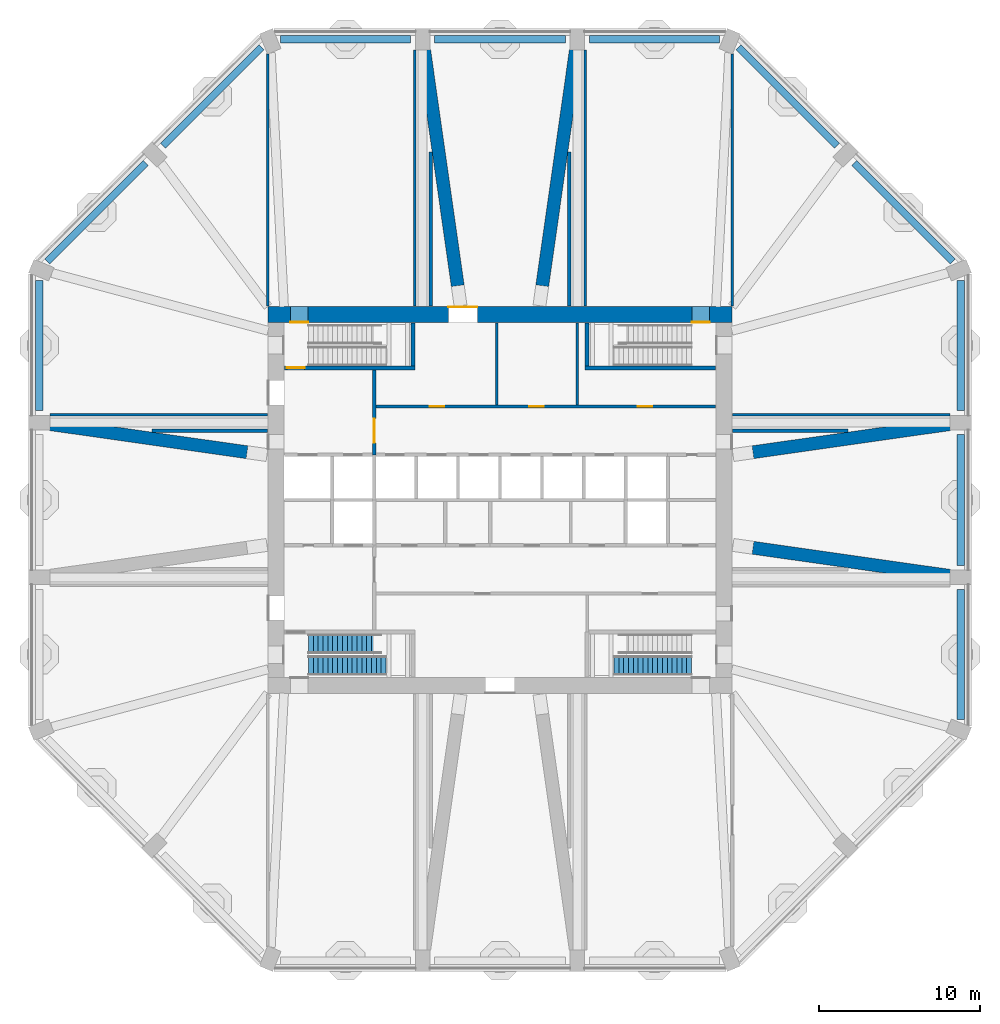
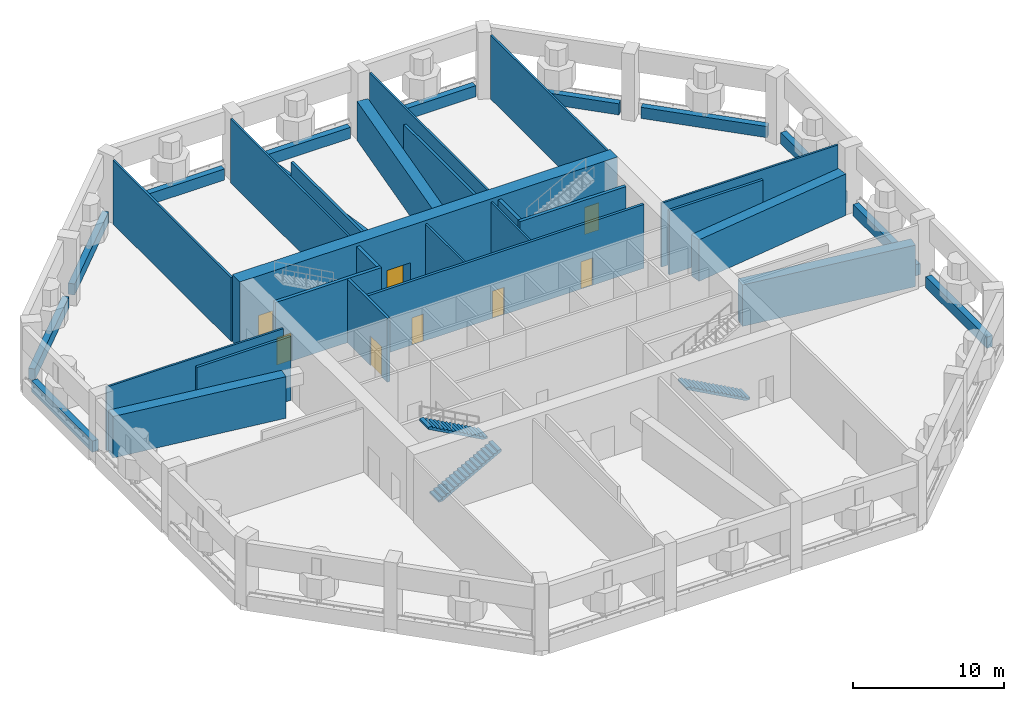
# One storey, part 5 of 9: 35 walls, 8 doors, 3 stair flights, 8 openings, 2 elements without a shape of their own.
"""IFC4 building model written with IfcOpenShell, lengths in metres."""

from ifc_helpers import new_model, si_unit, direction, frame, frame_2d, origin, place, context, subcontext, project, spatial, polyline, rectangle, outline, extrude, material, layer, layer_set, type_object, element, fill, aggregate, save


model = new_model("IFC4")

# Units and contexts
model_context = context("Model", 3, precision=1e-05, world=origin(), true_north=direction((0.0, 1.0)))
body_context = subcontext(model_context, "Body", "Model", "MODEL_VIEW")
ifc_project = project(units=[si_unit("LENGTHUNIT", "METRE"), si_unit("AREAUNIT", "SQUARE_METRE"), si_unit("VOLUMEUNIT", "CUBIC_METRE"), si_unit("PLANEANGLEUNIT", "RADIAN"), si_unit("MASSUNIT", "GRAM", prefix="KILO")], contexts=[model_context])

# Site, building, storey
site_placement = place(None, origin())
site = spatial("IfcSite", under=ifc_project, at=site_placement, CompositionType="ELEMENT")
building_placement = place(site_placement, origin())
building = spatial("IfcBuilding", under=site, at=building_placement, Name="Msitu Wima Residences", CompositionType="ELEMENT")
storey_placement = place(building_placement, frame((0.0, 0.0, 101.10009765625)))
storey = spatial("IfcBuildingStorey", under=building, at=storey_placement, Name="L23", CompositionType="ELEMENT", Elevation=101.10009765625)

# Walls
ifc_material_1 = material(Name="Facing brick")
ifc_layer_1 = layer(ifc_material_1, 0.06494140625, Name="Facing brick")
ifc_material_2 = material(Name="Concrete C40/50", Category="concrete")
ifc_layer_2 = layer(ifc_material_2, 0.156005859375, Name="Concrete C40/50")
ifc_material_3 = material(Name="Waterproofing membrane")
ifc_layer_3 = layer(ifc_material_3, 0.00390625, Name="Waterproofing membrane")
ifc_material_4 = material(Name="Planting soil and planting")
ifc_layer_4 = layer(ifc_material_4, 0.22509765625, Name="Planting soil and planting")
ifc_layer_set_1 = layer_set([ifc_layer_1, ifc_layer_2, ifc_layer_3, ifc_layer_4], Name="Concrete C40/50")
wall_type_1 = type_object("IfcWallType", Name="Balcony planter PLANTER PL450", PredefinedType="USERDEFINED", material=ifc_layer_set_1)
wall_1_placement = place(storey_placement, frame((28.574951171875, -13.613037109375, 0.0), z_axis=(0.0, 0.0, 1.0), x_axis=(0.0, 1.0, 0.0)))
element("IfcWall", 1, at=wall_1_placement, inside=storey, type_object=wall_type_1, Name="Refuge planter L23 E0", ObjectType="PLANTER", PredefinedType="USERDEFINED", context=body_context, shape_type="SweptSolid", body=[
    extrude(rectangle(XDim=8.06298828125, YDim=0.449951171875, at=frame_2d((4.031494140625, 0.0))), origin(), (0.0, 0.0, 1.0), 0.89990234375),
])
wall_2_placement = place(storey_placement, frame((28.574951171875, -4.050048828125, 0.0), z_axis=(0.0, 0.0, 1.0), x_axis=(0.0, 1.0, 0.0)))
element("IfcWall", 2, at=wall_2_placement, inside=storey, type_object=wall_type_1, Name="Refuge planter L23 E1", ObjectType="PLANTER", PredefinedType="USERDEFINED", context=body_context, shape_type="SweptSolid", body=[
    extrude(rectangle(XDim=8.10009765625, YDim=0.449951171875, at=frame_2d((4.050048828125, 0.0))), origin(), (0.0, 0.0, 1.0), 0.89990234375),
])
wall_3_placement = place(storey_placement, frame((28.574951171875, 5.550048828125, 0.0), z_axis=(0.0, 0.0, 1.0), x_axis=(0.0, 1.0, 0.0)))
element("IfcWall", 3, at=wall_3_placement, inside=storey, type_object=wall_type_1, Name="Refuge planter L23 E2", ObjectType="PLANTER", PredefinedType="USERDEFINED", context=body_context, shape_type="SweptSolid", body=[
    extrude(rectangle(XDim=8.06298828125, YDim=0.449951171875, at=frame_2d((4.031494140625, 0.0))), origin(), (0.0, 0.0, 1.0), 0.89990234375),
])
for number, where, z_axis, x_axis, name in (
    (4, (28.08447265625, 14.79736328125, 0.0), (0.0, 0.0, 1.0), (-0.707106781187, 0.707106781187, 0.0), "Refuge planter L23 NE0"),
    (5, (20.91064453125, 21.97119140625, 0.0), (0.0, 0.0, 1.0), (-0.707106781187, 0.707106781187, 0.0), "Refuge planter L23 NE1"),
):
    element("IfcWall", number, at=place(storey_placement, frame(where, z_axis=z_axis, x_axis=x_axis)), inside=storey, type_object=wall_type_1, Name=name, ObjectType="PLANTER", PredefinedType="USERDEFINED", context=body_context, shape_type="SweptSolid", body=[
        extrude(rectangle(XDim=8.6455078125, YDim=0.449951171875, at=frame_2d((4.32275390625, 0.0))), origin(), (0.0, 0.0, 1.0), 0.89990234375),
    ])
wall_4_placement = place(storey_placement, frame((13.613037109375, 28.574951171875, 0.0), z_axis=(0.0, 0.0, 1.0), x_axis=(-1.0, 0.0, 0.0)))
element("IfcWall", 6, at=wall_4_placement, inside=storey, type_object=wall_type_1, Name="Refuge planter L23 N0", ObjectType="PLANTER", PredefinedType="USERDEFINED", context=body_context, shape_type="SweptSolid", body=[
    extrude(rectangle(XDim=8.06298828125, YDim=0.449951171875, at=frame_2d((4.031494140625, 0.0))), origin(), (0.0, 0.0, 1.0), 0.89990234375),
])
wall_5_placement = place(storey_placement, frame((4.050048828125, 28.574951171875, 0.0), z_axis=(0.0, 0.0, 1.0), x_axis=(-1.0, 0.0, 0.0)))
element("IfcWall", 7, at=wall_5_placement, inside=storey, type_object=wall_type_1, Name="Refuge planter L23 N1", ObjectType="PLANTER", PredefinedType="USERDEFINED", context=body_context, shape_type="SweptSolid", body=[
    extrude(rectangle(XDim=8.10009765625, YDim=0.449951171875, at=frame_2d((4.050048828125, 0.0))), origin(), (0.0, 0.0, 1.0), 0.89990234375),
])
wall_6_placement = place(storey_placement, frame((-5.550048828125, 28.574951171875, 0.0), z_axis=(0.0, 0.0, 1.0), x_axis=(-1.0, 0.0, 0.0)))
element("IfcWall", 8, at=wall_6_placement, inside=storey, type_object=wall_type_1, Name="Refuge planter L23 N2", ObjectType="PLANTER", PredefinedType="USERDEFINED", context=body_context, shape_type="SweptSolid", body=[
    extrude(rectangle(XDim=8.06298828125, YDim=0.449951171875, at=frame_2d((4.031494140625, 0.0))), origin(), (0.0, 0.0, 1.0), 0.89990234375),
])
for number, where, z_axis, x_axis, name in (
    (9, (-14.79736328125, 28.08447265625, 0.0), (0.0, 0.0, 1.0), (-0.707106781187, -0.707106781187, 0.0), "Refuge planter L23 NW0"),
    (10, (-21.97119140625, 20.91064453125, 0.0), (0.0, 0.0, 1.0), (-0.707106781187, -0.707106781187, 0.0), "Refuge planter L23 NW1"),
):
    element("IfcWall", number, at=place(storey_placement, frame(where, z_axis=z_axis, x_axis=x_axis)), inside=storey, type_object=wall_type_1, Name=name, ObjectType="PLANTER", PredefinedType="USERDEFINED", context=body_context, shape_type="SweptSolid", body=[
        extrude(rectangle(XDim=8.6455078125, YDim=0.449951171875, at=frame_2d((4.32275390625, 0.0))), origin(), (0.0, 0.0, 1.0), 0.89990234375),
    ])
wall_7_placement = place(storey_placement, frame((-28.574951171875, 13.613037109375, 0.0), z_axis=(0.0, 0.0, 1.0), x_axis=(0.0, -1.0, 0.0)))
element("IfcWall", 11, at=wall_7_placement, inside=storey, type_object=wall_type_1, Name="Refuge planter L23 W0", ObjectType="PLANTER", PredefinedType="USERDEFINED", context=body_context, shape_type="SweptSolid", body=[
    extrude(rectangle(XDim=8.06298828125, YDim=0.449951171875, at=frame_2d((4.031494140625, 0.0))), origin(), (0.0, 0.0, 1.0), 0.89990234375),
])

# Wall, openings, doors
ifc_material_5 = material(Name="Concrete C80/95", Category="concrete")
ifc_layer_5 = layer(ifc_material_5, 1.0)
ifc_layer_set_2 = layer_set([ifc_layer_5], Name="Concrete C80/95")
wall_type_2 = type_object("IfcWallType", Name="Core wall CW1000 C80/95", PredefinedType="SHEAR", material=ifc_layer_set_2)
wall_8_placement = place(storey_placement, frame((-14.39990234375, 11.5, 0.0), z_axis=(0.0, 0.0, 1.0), x_axis=(1.0, 0.0, 0.0)))
wall_8 = element("IfcWall", 12, at=wall_8_placement, inside=storey, type_object=wall_type_2, Name="Core wall", PredefinedType="SHEAR", context=body_context, shape_type="SweptSolid", body=[
    extrude(rectangle(XDim=28.7998046875, YDim=1.0, at=frame_2d((14.39990234375, 0.0))), origin(), (0.0, 0.0, 1.0), 5.39990234375),
])
opening_1_placement = place(wall_8_placement, frame((1.39990234375, 0.0, 0.0)))
opening_1 = element("IfcOpeningElement", 13, at=opening_1_placement, cuts=wall_8, Name="Opening D23.017", PredefinedType="OPENING", context=body_context, shape_type="SweptSolid", body=[
    extrude(rectangle(XDim=1.10009765625, YDim=2.199951171875, at=frame_2d((0.550048828125, 1.10009765625))), frame((0.0, 0.510009765625, 0.0), z_axis=(0.0, -1.0, 0.0), x_axis=(1.0, 0.0, 0.0)), (0.0, 0.0, 1.0), 1.02001953125),
])
opening_2_placement = place(wall_8_placement, frame((26.300048828125, 0.0, 0.0)))
opening_2 = element("IfcOpeningElement", 14, at=opening_2_placement, cuts=wall_8, Name="Opening D23.019", PredefinedType="OPENING", context=body_context, shape_type="SweptSolid", body=[
    extrude(rectangle(XDim=1.10009765625, YDim=2.199951171875, at=frame_2d((0.550048828125, 1.10009765625))), frame((0.0, 0.510009765625, 0.0), z_axis=(0.0, -1.0, 0.0), x_axis=(1.0, 0.0, 0.0)), (0.0, 0.0, 1.0), 1.02001953125),
])
opening_3_placement = place(wall_8_placement, frame((11.199951171875, 0.0, 0.0)))
opening_3 = element("IfcOpeningElement", 15, at=opening_3_placement, cuts=wall_8, Name="Opening D23.021", PredefinedType="OPENING", context=body_context, shape_type="SweptSolid", body=[
    extrude(rectangle(XDim=1.800048828125, YDim=2.39990234375, at=frame_2d((0.89990234375, 1.199951171875))), frame((0.0, 0.510009765625, 0.0), z_axis=(0.0, -1.0, 0.0), x_axis=(1.0, 0.0, 0.0)), (0.0, 0.0, 1.0), 1.02001953125),
])
ifc_material_6 = material(Name="Steel door, fire resisting", Category="steel")
door_type_1 = type_object("IfcDoorType", Name="Plant room door D09 1800x2400", OperationType="DOUBLE_DOOR_SINGLE_SWING", PredefinedType="DOOR", material=ifc_material_6)
door_1_placement = place(opening_3_placement, origin())
door_1 = element("IfcDoor", 16, at=door_1_placement, inside=storey, type_object=door_type_1, Name="Plant room door", OperationType="DOUBLE_DOOR_SINGLE_SWING", OverallHeight=2.39990234375, OverallWidth=1.800048828125, PredefinedType="DOOR", context=body_context, shape_type="SweptSolid", body=[
    extrude(rectangle(XDim=1.800048828125, YDim=2.39990234375, at=frame_2d((0.89990234375, 1.199951171875))), frame((0.0, 0.4951171875, 0.0), z_axis=(0.0, -1.0, 0.0), x_axis=(1.0, 0.0, 0.0)), (0.0, 0.0, 1.0), 0.050048828125),
])
fill(opening_3, door_1)
ifc_material_7 = material(Name="Steel door, fire resisting, panic bar", Category="steel")
door_type_2 = type_object("IfcDoorType", Name="Stair door D06 1100x2200", OperationType="SINGLE_SWING_LEFT", PredefinedType="DOOR", material=ifc_material_7)
door_2_placement = place(opening_1_placement, origin())
door_2 = element("IfcDoor", 17, at=door_2_placement, inside=storey, type_object=door_type_2, Name="Stair door", OperationType="SINGLE_SWING_RIGHT", OverallHeight=2.199951171875, OverallWidth=1.10009765625, PredefinedType="DOOR", context=body_context, shape_type="SweptSolid", body=[
    extrude(rectangle(XDim=1.10009765625, YDim=2.199951171875, at=frame_2d((0.550048828125, 1.10009765625))), frame((0.0, -0.44482421875, 0.0), z_axis=(0.0, -1.0, 0.0), x_axis=(1.0, 0.0, 0.0)), (0.0, 0.0, 1.0), 0.050048828125),
])
fill(opening_1, door_2)
door_3_placement = place(opening_2_placement, origin())
door_3 = element("IfcDoor", 18, at=door_3_placement, inside=storey, type_object=door_type_2, Name="Stair door", OperationType="SINGLE_SWING_LEFT", OverallHeight=2.199951171875, OverallWidth=1.10009765625, PredefinedType="DOOR", context=body_context, shape_type="SweptSolid", body=[
    extrude(rectangle(XDim=1.10009765625, YDim=2.199951171875, at=frame_2d((0.550048828125, 1.10009765625))), frame((0.0, -0.44482421875, 0.0), z_axis=(0.0, -1.0, 0.0), x_axis=(1.0, 0.0, 0.0)), (0.0, 0.0, 1.0), 0.050048828125),
])
fill(opening_2, door_3)

# Wall, opening, door
ifc_material_8 = material(Name="Plaster")
ifc_layer_6 = layer(ifc_material_8, 0.011962890625, Name="Plaster")
ifc_material_9 = material(Name="Concrete blockwork", Category="masonry")
ifc_layer_7 = layer(ifc_material_9, 0.176025390625, Name="Concrete blockwork")
ifc_layer_8 = layer(ifc_material_8, 0.011962890625, Name="Plaster")
ifc_layer_set_3 = layer_set([ifc_layer_6, ifc_layer_7, ifc_layer_8], Name="Concrete blockwork")
wall_type_3 = type_object("IfcWallType", Name="Corridor wall FW200", PredefinedType="PARTITIONING", material=ifc_layer_set_3)
wall_9_placement = place(storey_placement, frame((-7.800048828125, 2.800048828125, 0.0), z_axis=(0.0, 0.0, 1.0), x_axis=(0.0, 1.0, 0.0)))
wall_9 = element("IfcWall", 19, at=wall_9_placement, inside=storey, type_object=wall_type_3, Name="Corridor wall", PredefinedType="PARTITIONING", context=body_context, shape_type="SweptSolid", body=[
    extrude(rectangle(XDim=5.27490234375, YDim=0.199951171875, at=frame_2d((2.637451171875, 0.0))), origin(), (0.0, 0.0, 1.0), 5.14990234375),
])
opening_4_placement = place(wall_9_placement, frame((0.75, 0.0, 0.0)))
opening_4 = element("IfcOpeningElement", 20, at=opening_4_placement, cuts=wall_9, Name="Opening D23.002", PredefinedType="OPENING", context=body_context, shape_type="SweptSolid", body=[
    extrude(rectangle(XDim=1.5, YDim=2.39990234375, at=frame_2d((0.75, 1.199951171875))), frame((0.0, 0.10986328125, 0.0), z_axis=(0.0, -1.0, 0.0), x_axis=(1.0, 0.0, 0.0)), (0.0, 0.0, 1.0), 0.219970703125),
])
ifc_material_10 = material(Name="Steel framed glazed door, fire resisting", Category="steel")
door_type_3 = type_object("IfcDoorType", Name="Lobby door D07 1500x2400", OperationType="DOUBLE_DOOR_SINGLE_SWING", PredefinedType="DOOR", material=ifc_material_10)
door_4_placement = place(opening_4_placement, origin())
door_4 = element("IfcDoor", 21, at=door_4_placement, inside=storey, type_object=door_type_3, Name="Lobby door", OperationType="DOUBLE_DOOR_SINGLE_SWING", OverallHeight=2.39990234375, OverallWidth=1.5, PredefinedType="DOOR", context=body_context, shape_type="SweptSolid", body=[
    extrude(rectangle(XDim=1.5, YDim=2.39990234375, at=frame_2d((0.75, 1.199951171875))), frame((0.0, 0.02490234375, 0.0), z_axis=(0.0, -1.0, 0.0), x_axis=(1.0, 0.0, 0.0)), (0.0, 0.0, 1.0), 0.050048828125),
])
fill(opening_4, door_4)

# Wall, openings, doors
wall_10_placement = place(storey_placement, frame((-7.699951171875, 5.800048828125, 0.0), z_axis=(0.0, 0.0, 1.0), x_axis=(1.0, 0.0, 0.0)))
wall_10 = element("IfcWall", 22, at=wall_10_placement, inside=storey, type_object=wall_type_3, Name="Corridor wall", PredefinedType="PARTITIONING", context=body_context, shape_type="SweptSolid", body=[
    extrude(rectangle(XDim=21.070068359375, YDim=0.199951171875, at=frame_2d((10.53515625, 0.0))), origin(), (0.0, 0.0, 1.0), 5.14990234375),
])
opening_5_placement = place(wall_10_placement, frame((3.35009765625, 0.0, 0.0)))
opening_5 = element("IfcOpeningElement", 23, at=opening_5_placement, cuts=wall_10, Name="Opening D23.004", PredefinedType="OPENING", context=body_context, shape_type="SweptSolid", body=[
    extrude(rectangle(XDim=0.89990234375, YDim=2.199951171875, at=frame_2d((0.449951171875, 1.10009765625))), frame((0.0, 0.10986328125, 0.0), z_axis=(0.0, -1.0, 0.0), x_axis=(1.0, 0.0, 0.0)), (0.0, 0.0, 1.0), 0.219970703125),
])
opening_6_placement = place(wall_10_placement, frame((9.5, 0.0, 0.0)))
opening_6 = element("IfcOpeningElement", 24, at=opening_6_placement, cuts=wall_10, Name="Opening D23.005", PredefinedType="OPENING", context=body_context, shape_type="SweptSolid", body=[
    extrude(rectangle(XDim=0.89990234375, YDim=2.199951171875, at=frame_2d((0.449951171875, 1.10009765625))), frame((0.0, 0.10986328125, 0.0), z_axis=(0.0, -1.0, 0.0), x_axis=(1.0, 0.0, 0.0)), (0.0, 0.0, 1.0), 0.219970703125),
])
opening_7_placement = place(wall_10_placement, frame((16.25, 0.0, 0.0)))
opening_7 = element("IfcOpeningElement", 25, at=opening_7_placement, cuts=wall_10, Name="Opening D23.006", PredefinedType="OPENING", context=body_context, shape_type="SweptSolid", body=[
    extrude(rectangle(XDim=0.89990234375, YDim=2.199951171875, at=frame_2d((0.449951171875, 1.10009765625))), frame((0.0, 0.10986328125, 0.0), z_axis=(0.0, -1.0, 0.0), x_axis=(1.0, 0.0, 0.0)), (0.0, 0.0, 1.0), 0.219970703125),
])
ifc_material_11 = material(Name="Timber flush door", Category="wood")
door_type_4 = type_object("IfcDoorType", Name="Service door D05 900x2200", OperationType="SINGLE_SWING_LEFT", PredefinedType="DOOR", material=ifc_material_11)
door_5_placement = place(opening_5_placement, origin())
door_5 = element("IfcDoor", 26, at=door_5_placement, inside=storey, type_object=door_type_4, Name="Service door", OperationType="SINGLE_SWING_LEFT", OverallHeight=2.199951171875, OverallWidth=0.89990234375, PredefinedType="DOOR", context=body_context, shape_type="SweptSolid", body=[
    extrude(rectangle(XDim=0.89990234375, YDim=2.199951171875, at=frame_2d((0.449951171875, 1.10009765625))), frame((0.0, 0.02490234375, 0.0), z_axis=(0.0, -1.0, 0.0), x_axis=(1.0, 0.0, 0.0)), (0.0, 0.0, 1.0), 0.050048828125),
])
fill(opening_5, door_5)
door_6_placement = place(opening_6_placement, origin())
door_6 = element("IfcDoor", 27, at=door_6_placement, inside=storey, type_object=door_type_4, Name="Service door", OperationType="SINGLE_SWING_LEFT", OverallHeight=2.199951171875, OverallWidth=0.89990234375, PredefinedType="DOOR", context=body_context, shape_type="SweptSolid", body=[
    extrude(rectangle(XDim=0.89990234375, YDim=2.199951171875, at=frame_2d((0.449951171875, 1.10009765625))), frame((0.0, 0.02490234375, 0.0), z_axis=(0.0, -1.0, 0.0), x_axis=(1.0, 0.0, 0.0)), (0.0, 0.0, 1.0), 0.050048828125),
])
fill(opening_6, door_6)
door_7_placement = place(opening_7_placement, origin())
door_7 = element("IfcDoor", 28, at=door_7_placement, inside=storey, type_object=door_type_4, Name="Service door", OperationType="SINGLE_SWING_RIGHT", OverallHeight=2.199951171875, OverallWidth=0.89990234375, PredefinedType="DOOR", context=body_context, shape_type="SweptSolid", body=[
    extrude(rectangle(XDim=0.89990234375, YDim=2.199951171875, at=frame_2d((0.449951171875, 1.10009765625))), frame((0.0, 0.02490234375, 0.0), z_axis=(0.0, -1.0, 0.0), x_axis=(1.0, 0.0, 0.0)), (0.0, 0.0, 1.0), 0.050048828125),
])
fill(opening_7, door_7)

# Walls
ifc_layer_9 = layer(ifc_material_5, 0.800048828125)
ifc_layer_set_4 = layer_set([ifc_layer_9], Name="Concrete C80/95")
wall_type_4 = type_object("IfcWallType", Name="Outrigger wall 800 Concrete C80/95", PredefinedType="SHEAR", material=ifc_layer_set_4)
for number, where, z_axis, x_axis, name in (
    (29, (15.68701171875, -2.963134765625, 0.0), (0.0, 0.0, 1.0), (0.989994565366, -0.141105494384, 0.0), "Outrigger wall L23 C-E1"),
    (30, (15.68701171875, 2.963134765625, 0.0), (0.0, 0.0, 1.0), (0.989994565366, 0.141105494384, 0.0), "Outrigger wall L23 C-E2"),
):
    element("IfcWall", number, at=place(storey_placement, frame(where, z_axis=z_axis, x_axis=x_axis)), inside=storey, type_object=wall_type_4, Name=name, PredefinedType="SHEAR", context=body_context, shape_type="SweptSolid", body=[
        extrude(rectangle(XDim=12.33642578125, YDim=0.800048828125, at=frame_2d((6.168212890625, 0.0))), origin(), (0.0, 0.0, 1.0), 3.349853515625),
    ])
for number, where, z_axis, x_axis, name in (
    (31, (2.62109375, 13.287109375, 0.0), (0.0, 0.0, 1.0), (0.141104108698, 0.989994762869, 0.0), "Outrigger wall L23 C-N1"),
    (32, (-2.62109375, 13.287109375, 0.0), (0.0, 0.0, 1.0), (-0.141104108698, 0.989994762869, 0.0), "Outrigger wall L23 C-N2"),
):
    element("IfcWall", number, at=place(storey_placement, frame(where, z_axis=z_axis, x_axis=x_axis)), inside=storey, type_object=wall_type_4, Name=name, PredefinedType="SHEAR", context=body_context, shape_type="SweptSolid", body=[
        extrude(rectangle(XDim=14.760498046875, YDim=0.800048828125, at=frame_2d((7.38037109375, 0.0))), origin(), (0.0, 0.0, 1.0), 3.14990234375),
    ])
wall_11_placement = place(storey_placement, frame((-15.68701171875, 2.963134765625, 0.0), z_axis=(0.0, 0.0, 1.0), x_axis=(-0.989994565366, 0.141105494384, 0.0)))
element("IfcWall", 33, at=wall_11_placement, inside=storey, type_object=wall_type_4, Name="Outrigger wall L23 C-W1", PredefinedType="SHEAR", context=body_context, shape_type="SweptSolid", body=[
    extrude(rectangle(XDim=12.33642578125, YDim=0.800048828125, at=frame_2d((6.168212890625, 0.0))), origin(), (0.0, 0.0, 1.0), 3.349853515625),
])
ifc_layer_10 = layer(ifc_material_8, 0.011962890625, Name="Plaster")
ifc_layer_11 = layer(ifc_material_9, 0.1259765625, Name="Concrete blockwork")
ifc_layer_12 = layer(ifc_material_8, 0.011962890625, Name="Plaster")
ifc_layer_set_5 = layer_set([ifc_layer_10, ifc_layer_11, ifc_layer_12], Name="Concrete blockwork")
wall_type_5 = type_object("IfcWallType", Name="Partition PW150", PredefinedType="PARTITIONING", material=ifc_layer_set_5)
wall_12_placement = place(storey_placement, frame((-27.89990234375, 5.300048828125, 0.0), z_axis=(0.0, 0.0, 1.0), x_axis=(1.0, 0.0, 0.0)))
element("IfcWall", 34, at=wall_12_placement, inside=storey, type_object=wall_type_5, Name="Partition", PredefinedType="PARTITIONING", context=body_context, shape_type="SweptSolid", body=[
    extrude(rectangle(XDim=13.469970703125, YDim=0.14990234375, at=frame_2d((6.73486328125, 0.0))), origin(), (0.0, 0.0, 1.0), 5.14990234375),
])
wall_13_placement = place(storey_placement, frame((-14.39990234375, 12.030029296875, 0.0), z_axis=(0.0, 0.0, 1.0), x_axis=(0.0, 1.0, 0.0)))
element("IfcWall", 35, at=wall_13_placement, inside=storey, type_object=wall_type_5, Name="Partition", PredefinedType="PARTITIONING", context=body_context, shape_type="SweptSolid", body=[
    extrude(rectangle(XDim=15.63427734375, YDim=0.14990234375, at=frame_2d((7.817138671875, 0.0))), origin(), (0.0, 0.0, 1.0), 5.14990234375),
])
wall_14_placement = place(storey_placement, frame((-5.300048828125, 12.030029296875, 0.0), z_axis=(0.0, 0.0, 1.0), x_axis=(0.0, 1.0, 0.0)))
element("IfcWall", 36, at=wall_14_placement, inside=storey, type_object=wall_type_5, Name="Partition", PredefinedType="PARTITIONING", context=body_context, shape_type="SweptSolid", body=[
    extrude(rectangle(XDim=15.869873046875, YDim=0.14990234375, at=frame_2d((7.93505859375, 0.0))), origin(), (0.0, 0.0, 1.0), 5.14990234375),
])
for number, where, z_axis, x_axis, name in (
    (37, (-0.199951171875, 5.89990234375, 0.0), (0.0, 0.0, 1.0), (0.0, 1.0, 0.0), "Partition"),
    (38, (4.800048828125, 5.89990234375, 0.0), (0.0, 0.0, 1.0), (0.0, 1.0, 0.0), "Partition"),
):
    element("IfcWall", number, at=place(storey_placement, frame(where, z_axis=z_axis, x_axis=x_axis)), inside=storey, type_object=wall_type_5, Name=name, PredefinedType="PARTITIONING", context=body_context, shape_type="SweptSolid", body=[
        extrude(rectangle(XDim=5.070068359375, YDim=0.14990234375, at=frame_2d((2.53515625, 0.0))), origin(), (0.0, 0.0, 1.0), 5.14990234375),
    ])
wall_15_placement = place(storey_placement, frame((5.300048828125, 12.030029296875, 0.0), z_axis=(0.0, 0.0, 1.0), x_axis=(0.0, 1.0, 0.0)))
element("IfcWall", 39, at=wall_15_placement, inside=storey, type_object=wall_type_5, Name="Partition", PredefinedType="PARTITIONING", context=body_context, shape_type="SweptSolid", body=[
    extrude(rectangle(XDim=15.869873046875, YDim=0.14990234375, at=frame_2d((7.93505859375, 0.0))), origin(), (0.0, 0.0, 1.0), 5.14990234375),
])
wall_16_placement = place(storey_placement, frame((14.39990234375, 12.030029296875, 0.0), z_axis=(0.0, 0.0, 1.0), x_axis=(0.0, 1.0, 0.0)))
element("IfcWall", 40, at=wall_16_placement, inside=storey, type_object=wall_type_5, Name="Partition", PredefinedType="PARTITIONING", context=body_context, shape_type="SweptSolid", body=[
    extrude(rectangle(XDim=15.63427734375, YDim=0.14990234375, at=frame_2d((7.817138671875, 0.0))), origin(), (0.0, 0.0, 1.0), 5.14990234375),
])
wall_17_placement = place(storey_placement, frame((14.429931640625, 5.300048828125, 0.0), z_axis=(0.0, 0.0, 1.0), x_axis=(1.0, 0.0, 0.0)))
element("IfcWall", 41, at=wall_17_placement, inside=storey, type_object=wall_type_5, Name="Partition", PredefinedType="PARTITIONING", context=body_context, shape_type="SweptSolid", body=[
    extrude(rectangle(XDim=13.469970703125, YDim=0.14990234375, at=frame_2d((6.73486328125, 0.0))), origin(), (0.0, 0.0, 1.0), 5.14990234375),
])
ifc_layer_13 = layer(ifc_material_8, 0.011962890625, Name="Plaster")
ifc_material_12 = material(Name="Reinforced concrete blockwork", Category="masonry")
ifc_layer_14 = layer(ifc_material_12, 0.176025390625, Name="Reinforced concrete blockwork")
ifc_layer_15 = layer(ifc_material_8, 0.011962890625, Name="Plaster")
ifc_layer_set_6 = layer_set([ifc_layer_13, ifc_layer_14, ifc_layer_15], Name="Reinforced concrete blockwork")
wall_type_6 = type_object("IfcWallType", Name="Plant and riser wall PL200", PredefinedType="PARTITIONING", material=ifc_layer_set_6)
wall_18_placement = place(storey_placement, frame((-21.58203125, 4.300048828125, 0.0), z_axis=(0.0, 0.0, 1.0), x_axis=(1.0, 0.0, 0.0)))
element("IfcWall", 42, at=wall_18_placement, inside=storey, type_object=wall_type_6, Name="Plant and riser wall", PredefinedType="PARTITIONING", context=body_context, shape_type="SweptSolid", body=[
    extrude(rectangle(XDim=7.152099609375, YDim=0.199951171875, at=frame_2d((3.576171875, 0.0))), origin(), (0.0, 0.0, 1.0), 5.14990234375),
])
for number, where, z_axis, x_axis, name in (
    (43, (-4.300048828125, 12.030029296875, 0.0), (0.0, 0.0, 1.0), (0.0, 1.0, 0.0), "Plant and riser wall"),
    (44, (4.300048828125, 12.030029296875, 0.0), (0.0, 0.0, 1.0), (0.0, 1.0, 0.0), "Plant and riser wall"),
):
    element("IfcWall", number, at=place(storey_placement, frame(where, z_axis=z_axis, x_axis=x_axis)), inside=storey, type_object=wall_type_6, Name=name, PredefinedType="PARTITIONING", context=body_context, shape_type="SweptSolid", body=[
        extrude(rectangle(XDim=9.552001953125, YDim=0.199951171875, at=frame_2d((4.77587890625, 0.0))), origin(), (0.0, 0.0, 1.0), 5.14990234375),
    ])
wall_19_placement = place(storey_placement, frame((14.429931640625, 4.300048828125, 0.0), z_axis=(0.0, 0.0, 1.0), x_axis=(1.0, 0.0, 0.0)))
element("IfcWall", 45, at=wall_19_placement, inside=storey, type_object=wall_type_6, Name="Plant and riser wall", PredefinedType="PARTITIONING", context=body_context, shape_type="SweptSolid", body=[
    extrude(rectangle(XDim=7.152099609375, YDim=0.199951171875, at=frame_2d((3.576171875, 0.0))), origin(), (0.0, 0.0, 1.0), 5.14990234375),
])

# Wall, opening, door
ifc_material_13 = material(Name="Concrete C50/60", Category="concrete")
ifc_layer_16 = layer(ifc_material_13, 0.25)
ifc_layer_set_7 = layer_set([ifc_layer_16], Name="Concrete C50/60")
wall_type_7 = type_object("IfcWallType", Name="Stair enclosure wall SW250", PredefinedType="SHEAR", material=ifc_layer_set_7)
wall_20_placement = place(storey_placement, frame((-13.3701171875, 8.199951171875, 0.0), z_axis=(0.0, 0.0, 1.0), x_axis=(1.0, 0.0, 0.0)))
wall_20 = element("IfcWall", 46, at=wall_20_placement, inside=storey, type_object=wall_type_7, Name="Stair enclosure wall", PredefinedType="SHEAR", context=body_context, shape_type="SweptSolid", body=[
    extrude(rectangle(XDim=8.09521484375, YDim=0.25, at=frame_2d((4.047607421875, 0.0))), origin(), (0.0, 0.0, 1.0), 5.14990234375),
])
opening_8_placement = place(wall_20_placement, frame((0.14990234375, 0.0, 0.0)))
opening_8 = element("IfcOpeningElement", 47, at=opening_8_placement, cuts=wall_20, Name="Opening D23.015", PredefinedType="OPENING", context=body_context, shape_type="SweptSolid", body=[
    extrude(rectangle(XDim=1.10009765625, YDim=2.199951171875, at=frame_2d((0.550048828125, 1.10009765625))), frame((0.0, 0.135009765625, 0.0), z_axis=(0.0, -1.0, 0.0), x_axis=(1.0, 0.0, 0.0)), (0.0, 0.0, 1.0), 0.27001953125),
])
door_8_placement = place(opening_8_placement, origin())
door_8 = element("IfcDoor", 48, at=door_8_placement, inside=storey, type_object=door_type_2, Name="Stair door", OperationType="SINGLE_SWING_LEFT", OverallHeight=2.199951171875, OverallWidth=1.10009765625, PredefinedType="DOOR", context=body_context, shape_type="SweptSolid", body=[
    extrude(rectangle(XDim=1.10009765625, YDim=2.199951171875, at=frame_2d((0.550048828125, 1.10009765625))), frame((0.0, 0.02490234375, 0.0), z_axis=(0.0, -1.0, 0.0), x_axis=(1.0, 0.0, 0.0)), (0.0, 0.0, 1.0), 0.050048828125),
])
fill(opening_8, door_8)

# Walls
for number, where, z_axis, x_axis, name in (
    (49, (-5.39990234375, 8.324951171875, 0.0), (0.0, 0.0, 1.0), (0.0, 1.0, 0.0), "Stair enclosure wall"),
    (50, (5.39990234375, 8.324951171875, 0.0), (0.0, 0.0, 1.0), (0.0, 1.0, 0.0), "Stair enclosure wall"),
):
    element("IfcWall", number, at=place(storey_placement, frame(where, z_axis=z_axis, x_axis=x_axis)), inside=storey, type_object=wall_type_7, Name=name, PredefinedType="SHEAR", context=body_context, shape_type="SweptSolid", body=[
        extrude(rectangle(XDim=2.64501953125, YDim=0.25, at=frame_2d((1.322509765625, 0.0))), origin(), (0.0, 0.0, 1.0), 5.14990234375),
    ])
wall_21_placement = place(storey_placement, frame((5.27490234375, 8.199951171875, 0.0), z_axis=(0.0, 0.0, 1.0), x_axis=(1.0, 0.0, 0.0)))
element("IfcWall", 51, at=wall_21_placement, inside=storey, type_object=wall_type_7, Name="Stair enclosure wall", PredefinedType="SHEAR", context=body_context, shape_type="SweptSolid", body=[
    extrude(rectangle(XDim=8.09521484375, YDim=0.25, at=frame_2d((4.047607421875, 0.0))), origin(), (0.0, 0.0, 1.0), 5.14990234375),
])

# Stair, stair flights
stair_type = type_object("IfcStairType", Name="Exit stair ES1636-120", PredefinedType="HALF_TURN_STAIR", material=ifc_material_2)
stair_1_placement = place(storey_placement, origin())
stair_1 = element("IfcStair", 52, at=stair_1_placement, inside=storey, type_object=stair_type, Name="Exit stair 2", PredefinedType="HALF_TURN_STAIR")
stair_flight_type = type_object("IfcStairFlightType", Name="Exit stair flight ES1636-120", PredefinedType="STRAIGHT", material=ifc_material_2)
stair_flight_1_placement = place(storey_placement, frame((-11.875, -10.27490234375, 0.0), z_axis=(0.0, 0.0, 1.0), x_axis=(1.0, 0.0, 0.0)))
stair_flight_1 = element("IfcStairFlight", 53, at=stair_flight_1_placement, type_object=stair_flight_type, Name="S2 flight 1", NumberOfRisers=17, NumberOfTreads=16, PredefinedType="STRAIGHT", RiserHeight=0.163636364, TreadLength=0.3, context=body_context, shape_type="SweptSolid", body=[
    extrude(outline(polyline([(0.0, 0.0), (0.0, 0.16357421875), (0.300048828125, 0.16357421875), (0.300048828125, 0.327392578125), (0.60009765625, 0.327392578125), (0.60009765625, 0.490966796875), (0.89990234375, 0.490966796875), (0.89990234375, 0.654541015625), (1.199951171875, 0.654541015625), (1.199951171875, 0.818115234375), (1.5, 0.818115234375), (1.5, 0.98193359375), (1.800048828125, 0.98193359375), (1.800048828125, 1.1455078125), (2.10009765625, 1.1455078125), (2.10009765625, 1.30908203125), (2.39990234375, 1.30908203125), (2.39990234375, 1.47265625), (2.699951171875, 1.47265625), (2.699951171875, 1.636474609375), (3.0, 1.636474609375), (3.0, 1.800048828125), (3.300048828125, 1.800048828125), (3.300048828125, 1.963623046875), (3.60009765625, 1.963623046875), (3.60009765625, 2.127197265625), (3.89990234375, 2.127197265625), (3.89990234375, 2.291015625), (4.199951171875, 2.291015625), (4.199951171875, 2.45458984375), (4.5, 2.45458984375), (4.5, 2.6181640625), (4.800048828125, 2.6181640625), (4.800048828125, 2.78173828125), (4.800048828125, 2.447509765625), (0.31298828125, 0.0), (0.0, 0.0)])), frame((0.0, 0.60009765625, 0.0), z_axis=(0.0, -1.0, 0.0), x_axis=(1.0, 0.0, 0.0)), (0.0, 0.0, 1.0), 1.199951171875),
])
stair_flight_2_placement = place(storey_placement, frame((-7.375, -8.925048828125, 2.78173828125), z_axis=(0.0, 0.0, 1.0), x_axis=(-1.0, 0.0, 0.0)))
stair_flight_2 = element("IfcStairFlight", 54, at=stair_flight_2_placement, type_object=stair_flight_type, Name="S2 flight 2", NumberOfRisers=16, NumberOfTreads=15, PredefinedType="STRAIGHT", RiserHeight=0.163636364, TreadLength=0.3, context=body_context, shape_type="SweptSolid", body=[
    extrude(outline(polyline([(0.0, 0.0), (0.0, 0.16357421875), (0.300048828125, 0.16357421875), (0.300048828125, 0.327392578125), (0.60009765625, 0.327392578125), (0.60009765625, 0.490966796875), (0.89990234375, 0.490966796875), (0.89990234375, 0.654541015625), (1.199951171875, 0.654541015625), (1.199951171875, 0.818115234375), (1.5, 0.818115234375), (1.5, 0.98193359375), (1.800048828125, 0.98193359375), (1.800048828125, 1.1455078125), (2.10009765625, 1.1455078125), (2.10009765625, 1.30908203125), (2.39990234375, 1.30908203125), (2.39990234375, 1.47265625), (2.699951171875, 1.47265625), (2.699951171875, 1.636474609375), (3.0, 1.636474609375), (3.0, 1.800048828125), (3.300048828125, 1.800048828125), (3.300048828125, 1.963623046875), (3.60009765625, 1.963623046875), (3.60009765625, 2.127197265625), (3.89990234375, 2.127197265625), (3.89990234375, 2.291015625), (4.199951171875, 2.291015625), (4.199951171875, 2.45458984375), (4.5, 2.45458984375), (4.5, 2.6181640625), (4.5, 2.28369140625), (0.31298828125, 0.0), (0.0, 0.0)])), frame((0.0, 0.60009765625, 0.0), z_axis=(0.0, -1.0, 0.0), x_axis=(1.0, 0.0, 0.0)), (0.0, 0.0, 1.0), 1.199951171875),
])
aggregate(stair_1, [stair_flight_1, stair_flight_2])

# Stair, stair flight
stair_2_placement = place(storey_placement, origin())
stair_2 = element("IfcStair", 55, at=stair_2_placement, inside=storey, type_object=stair_type, Name="Exit stair 4", PredefinedType="HALF_TURN_STAIR")
stair_flight_3_placement = place(storey_placement, frame((11.875, -10.27490234375, 0.0), z_axis=(0.0, 0.0, 1.0), x_axis=(-1.0, 0.0, 0.0)))
stair_flight_3 = element("IfcStairFlight", 56, at=stair_flight_3_placement, type_object=stair_flight_type, Name="S4 flight 1", NumberOfRisers=17, NumberOfTreads=16, PredefinedType="STRAIGHT", RiserHeight=0.163636364, TreadLength=0.3, context=body_context, shape_type="SweptSolid", body=[
    extrude(outline(polyline([(0.0, 0.0), (0.0, 0.16357421875), (0.300048828125, 0.16357421875), (0.300048828125, 0.327392578125), (0.60009765625, 0.327392578125), (0.60009765625, 0.490966796875), (0.89990234375, 0.490966796875), (0.89990234375, 0.654541015625), (1.199951171875, 0.654541015625), (1.199951171875, 0.818115234375), (1.5, 0.818115234375), (1.5, 0.98193359375), (1.800048828125, 0.98193359375), (1.800048828125, 1.1455078125), (2.10009765625, 1.1455078125), (2.10009765625, 1.30908203125), (2.39990234375, 1.30908203125), (2.39990234375, 1.47265625), (2.699951171875, 1.47265625), (2.699951171875, 1.636474609375), (3.0, 1.636474609375), (3.0, 1.800048828125), (3.300048828125, 1.800048828125), (3.300048828125, 1.963623046875), (3.60009765625, 1.963623046875), (3.60009765625, 2.127197265625), (3.89990234375, 2.127197265625), (3.89990234375, 2.291015625), (4.199951171875, 2.291015625), (4.199951171875, 2.45458984375), (4.5, 2.45458984375), (4.5, 2.6181640625), (4.800048828125, 2.6181640625), (4.800048828125, 2.78173828125), (4.800048828125, 2.447509765625), (0.31298828125, 0.0), (0.0, 0.0)])), frame((0.0, 0.60009765625, 0.0), z_axis=(0.0, -1.0, 0.0), x_axis=(1.0, 0.0, 0.0)), (0.0, 0.0, 1.0), 1.199951171875),
])
aggregate(stair_2, [stair_flight_3])

save(model, "model.ifc")
